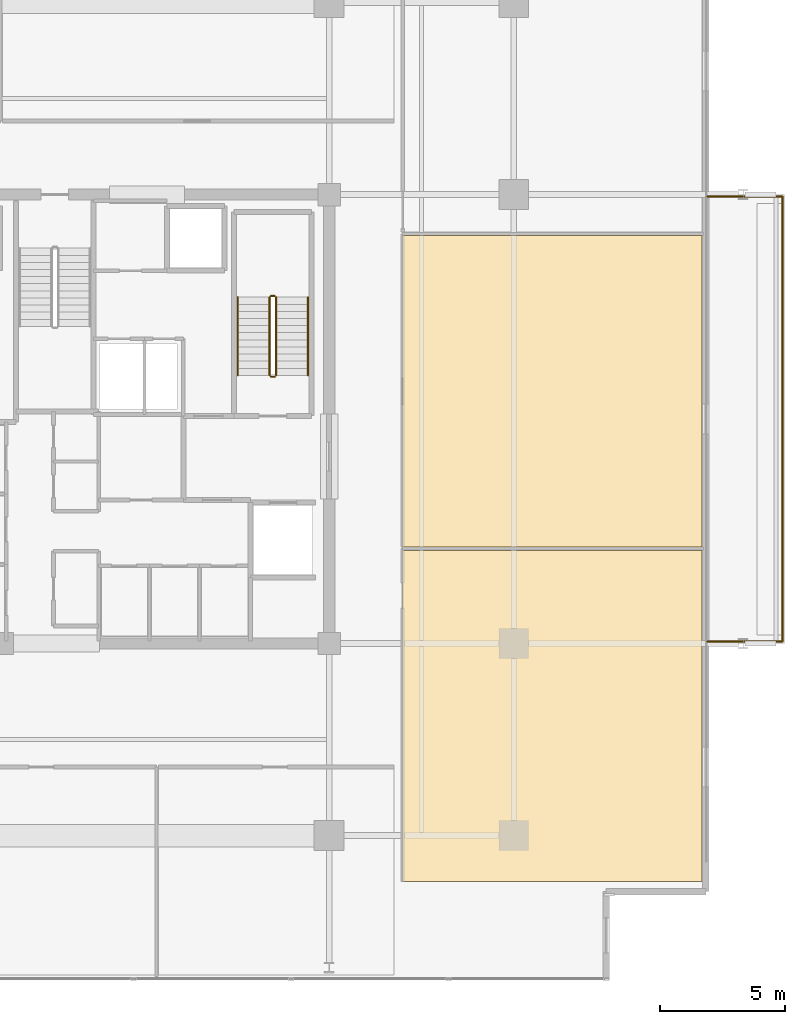
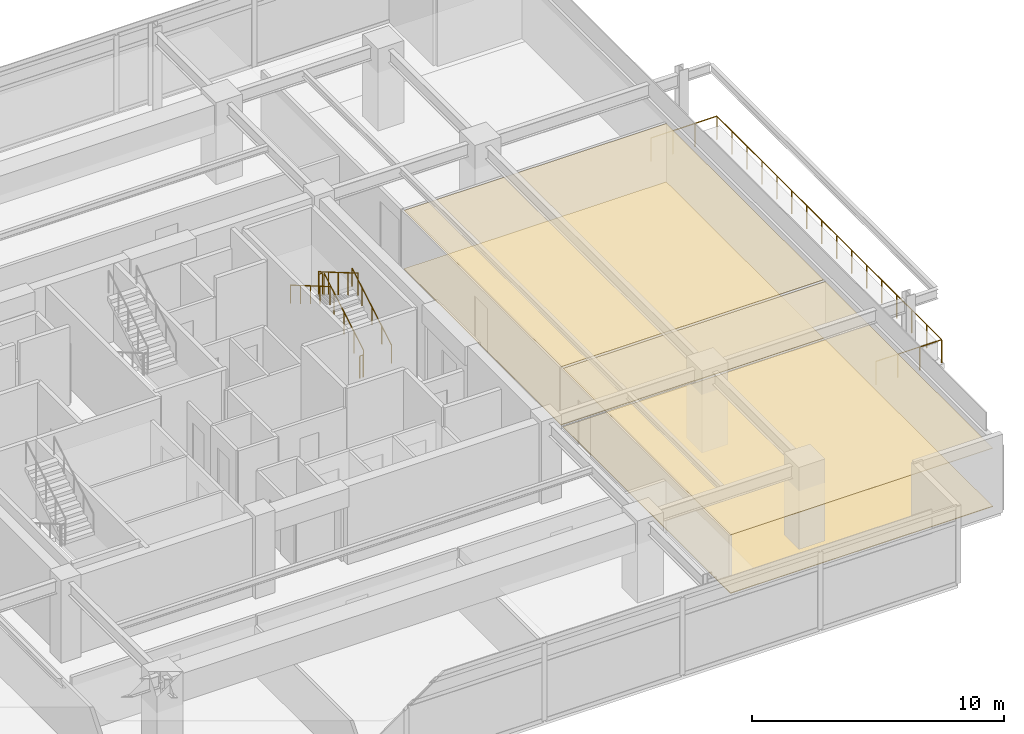
# One storey, part 23 of 24: 7 railings, 4 coverings.
"""IFC4 building model written with IfcOpenShell, lengths in metres."""

from ifc_helpers import new_model, si_unit, direction, frame, origin, origin_2d, place, context, subcontext, project, spatial, polyline, circle, outline, extrude, material, layer, layer_set, type_object, element, save


model = new_model("IFC4")

# Units and contexts
model_context = context("Model", 3, precision=1e-05, world=origin(), true_north=direction((0.0, 1.0)))
body_context = subcontext(model_context, "Body", "Model", "MODEL_VIEW")
ifc_project = project(units=[si_unit("LENGTHUNIT", "METRE"), si_unit("AREAUNIT", "SQUARE_METRE"), si_unit("VOLUMEUNIT", "CUBIC_METRE"), si_unit("PLANEANGLEUNIT", "RADIAN"), si_unit("MASSUNIT", "GRAM", prefix="KILO")], contexts=[model_context])

# Site, building, storey
site_placement = place(None, origin())
site = spatial("IfcSite", under=ifc_project, at=site_placement, CompositionType="ELEMENT")
building_placement = place(site_placement, origin())
building = spatial("IfcBuilding", under=site, at=building_placement, Name="Kovane Verandah Tower", CompositionType="ELEMENT")
storey_placement = place(building_placement, frame((0.0, 0.0, 271.199951171875)))
storey = spatial("IfcBuildingStorey", under=building, at=storey_placement, Name="L63", CompositionType="ELEMENT", Elevation=271.199951171875)

# Coverings
ifc_material_1 = material(Name="Perforated Acoustic Mineral-Fibre Ceiling Tile", Category="gypsum")
ifc_layer_1 = layer(ifc_material_1, 0.02490234375)
ifc_layer_set_1 = layer_set([ifc_layer_1], Name="Perforated Acoustic Mineral-Fibre Ceiling Tile")
covering_type_1 = type_object("IfcCoveringType", Name="CV-CEIL-25", PredefinedType="CEILING", material=ifc_layer_set_1)
covering_1_placement = place(storey_placement, frame((0.0, 0.0, 2.824951171875)))
element("IfcCovering", 1, at=covering_1_placement, inside=storey, type_object=covering_type_1, Name="L63 Open Plan Office E1 Acoustic Ceiling", PredefinedType="CEILING", context=body_context, shape_type="SweptSolid", body=[
    extrude(outline(polyline([(53.949951171875, 8.950439453125), (65.957275390625, 8.950439453125), (65.957275390625, 22.236083984375), (53.949951171875, 22.236083984375), (53.949951171875, 8.950439453125)])), origin(), (0.0, 0.0, 1.0), 0.025146484375),
])
covering_2_placement = place(storey_placement, frame((0.0, 0.0, 2.824951171875)))
element("IfcCovering", 2, at=covering_2_placement, inside=storey, type_object=covering_type_1, Name="L63 Executive Office E2 Acoustic Ceiling", PredefinedType="CEILING", context=body_context, shape_type="SweptSolid", body=[
    extrude(outline(polyline([(53.949951171875, 22.376220703125), (65.957275390625, 22.376220703125), (65.957275390625, 34.849853515625), (53.949951171875, 34.849853515625), (53.949951171875, 22.376220703125)])), origin(), (0.0, 0.0, 1.0), 0.025146484375),
])
ifc_material_2 = material(Name="Polished Terrazzo and Raised-Access Carpet Tile Finish", Category="concrete")
ifc_layer_2 = layer(ifc_material_2, 0.030029296875)
ifc_layer_set_2 = layer_set([ifc_layer_2], Name="Polished Terrazzo and Raised-Access Carpet Tile Finish")
covering_type_2 = type_object("IfcCoveringType", Name="CV-FLOR-30", PredefinedType="FLOORING", material=ifc_layer_set_2)
covering_3_placement = place(storey_placement, origin())
element("IfcCovering", 3, at=covering_3_placement, inside=storey, type_object=covering_type_2, Name="L63 Open Plan Office E1 Floor Finish", PredefinedType="FLOORING", context=body_context, shape_type="SweptSolid", body=[
    extrude(outline(polyline([(53.949951171875, 8.950439453125), (65.957275390625, 8.950439453125), (65.957275390625, 22.236083984375), (53.949951171875, 22.236083984375), (53.949951171875, 8.950439453125)])), origin(), (0.0, 0.0, 1.0), 0.030029296875),
])
covering_4_placement = place(storey_placement, origin())
element("IfcCovering", 4, at=covering_4_placement, inside=storey, type_object=covering_type_2, Name="L63 Executive Office E2 Floor Finish", PredefinedType="FLOORING", context=body_context, shape_type="SweptSolid", body=[
    extrude(outline(polyline([(53.949951171875, 22.376220703125), (65.957275390625, 22.376220703125), (65.957275390625, 34.849853515625), (53.949951171875, 34.849853515625), (53.949951171875, 22.376220703125)])), origin(), (0.0, 0.0, 1.0), 0.030029296875),
])

# Railings
ifc_material_3 = material(Name="Laminated Glass and Pale-Champagne Stainless Balustrade", Category="glass")
railing_type_1 = type_object("IfcRailingType", Name="RL-BAL-1150", PredefinedType="BALUSTRADE", material=ifc_material_3)
railing_1_placement = place(storey_placement, frame((66.1572265625, 18.580078125, 0.0)))
element("IfcRailing", 5, at=railing_1_placement, inside=storey, type_object=railing_type_1, Name="L63 E Verandah Glass Balustrade", PredefinedType="BALUSTRADE", context=body_context, shape_type="SweptSolid", body=[
    extrude(circle(Radius=0.02392578125, at=origin_2d()), frame((0.0, 0.0, 1.1259765625), z_axis=(1.0, 0.0, 0.0), x_axis=(0.0, 1.0, 0.0)), (0.0, 0.0, 1.0), 3.02001953125),
    extrude(circle(Radius=0.02392578125, at=origin_2d()), frame((3.02001953125, 0.0, 1.1259765625), z_axis=(0.0, 1.0, 0.0), x_axis=(-1.0, 0.0, 0.0)), (0.0, 0.0, 1.0), 17.83984375),
    extrude(circle(Radius=0.02392578125, at=origin_2d()), frame((3.02001953125, 17.83984375, 1.1259765625), z_axis=(-1.0, 0.0, 0.0), x_axis=(0.0, -1.0, 0.0)), (0.0, 0.0, 1.0), 3.02001953125),
    extrude(circle(Radius=0.02099609375, at=origin_2d()), origin(), (0.0, 0.0, 1.0), 1.101806640625),
    extrude(circle(Radius=0.02099609375, at=origin_2d()), frame((1.006591796875, 0.0, 0.0)), (0.0, 0.0, 1.0), 1.101806640625),
    extrude(circle(Radius=0.02099609375, at=origin_2d()), frame((2.013427734375, 0.0, 0.0)), (0.0, 0.0, 1.0), 1.101806640625),
    extrude(circle(Radius=0.02099609375, at=origin_2d()), frame((3.02001953125, 0.0, 0.0)), (0.0, 0.0, 1.0), 1.101806640625),
    extrude(circle(Radius=0.02099609375, at=origin_2d()), frame((3.02001953125, 1.189208984375, 0.0)), (0.0, 0.0, 1.0), 1.101806640625),
    extrude(circle(Radius=0.02099609375, at=origin_2d()), frame((3.02001953125, 2.378662109375, 0.0)), (0.0, 0.0, 1.0), 1.101806640625),
    extrude(circle(Radius=0.02099609375, at=origin_2d()), frame((3.02001953125, 3.56787109375, 0.0)), (0.0, 0.0, 1.0), 1.101806640625),
    extrude(circle(Radius=0.02099609375, at=origin_2d()), frame((3.02001953125, 4.75732421875, 0.0)), (0.0, 0.0, 1.0), 1.101806640625),
    extrude(circle(Radius=0.02099609375, at=origin_2d()), frame((3.02001953125, 5.946533203125, 0.0)), (0.0, 0.0, 1.0), 1.101806640625),
    extrude(circle(Radius=0.02099609375, at=origin_2d()), frame((3.02001953125, 7.135986328125, 0.0)), (0.0, 0.0, 1.0), 1.101806640625),
    extrude(circle(Radius=0.02099609375, at=origin_2d()), frame((3.02001953125, 8.3251953125, 0.0)), (0.0, 0.0, 1.0), 1.101806640625),
    extrude(circle(Radius=0.02099609375, at=origin_2d()), frame((3.02001953125, 9.5146484375, 0.0)), (0.0, 0.0, 1.0), 1.101806640625),
    extrude(circle(Radius=0.02099609375, at=origin_2d()), frame((3.02001953125, 10.703857421875, 0.0)), (0.0, 0.0, 1.0), 1.101806640625),
    extrude(circle(Radius=0.02099609375, at=origin_2d()), frame((3.02001953125, 11.893310546875, 0.0)), (0.0, 0.0, 1.0), 1.101806640625),
    extrude(circle(Radius=0.02099609375, at=origin_2d()), frame((3.02001953125, 13.08251953125, 0.0)), (0.0, 0.0, 1.0), 1.101806640625),
    extrude(circle(Radius=0.02099609375, at=origin_2d()), frame((3.02001953125, 14.27197265625, 0.0)), (0.0, 0.0, 1.0), 1.101806640625),
    extrude(circle(Radius=0.02099609375, at=origin_2d()), frame((3.02001953125, 15.461181640625, 0.0)), (0.0, 0.0, 1.0), 1.101806640625),
    extrude(circle(Radius=0.02099609375, at=origin_2d()), frame((3.02001953125, 16.650634765625, 0.0)), (0.0, 0.0, 1.0), 1.101806640625),
    extrude(circle(Radius=0.02099609375, at=origin_2d()), frame((3.02001953125, 17.83984375, 0.0)), (0.0, 0.0, 1.0), 1.101806640625),
    extrude(circle(Radius=0.02099609375, at=origin_2d()), frame((2.013427734375, 17.83984375, 0.0)), (0.0, 0.0, 1.0), 1.101806640625),
    extrude(circle(Radius=0.02099609375, at=origin_2d()), frame((1.006591796875, 17.83984375, 0.0)), (0.0, 0.0, 1.0), 1.101806640625),
    extrude(circle(Radius=0.02099609375, at=origin_2d()), frame((0.0, 17.83984375, 0.0)), (0.0, 0.0, 1.0), 1.101806640625),
])
ifc_material_4 = material(Name="Brushed Stainless Steel Handrail", Category="steel")
railing_type_2 = type_object("IfcRailingType", Name="RL-HAND-920", PredefinedType="HANDRAIL", material=ifc_material_4)
railing_2_placement = place(storey_placement, frame((50.14990234375, 29.25, 0.166748046875)))
element("IfcRailing", 6, at=railing_2_placement, inside=storey, type_object=railing_type_2, Name="L63 ST-02 stair handrail 1", PredefinedType="HANDRAIL", context=body_context, shape_type="SweptSolid", body=[
    extrude(circle(Radius=0.02392578125, at=origin_2d()), frame((0.0, 0.0, 0.8759765625), z_axis=(0.0, 0.863239559939, 0.504794475164), x_axis=(-1.0, 0.0, 0.0)), (0.0, 0.0, 1.0), 3.631591796875),
    extrude(circle(Radius=0.02099609375, at=origin_2d()), origin(), (0.0, 0.0, 1.0), 0.851806640625),
    extrude(circle(Radius=0.02099609375, at=origin_2d()), frame((0.0, 0.78369140625, 0.458251953125)), (0.0, 0.0, 1.0), 0.851806640625),
    extrude(circle(Radius=0.02099609375, at=origin_2d()), frame((0.0, 1.5673828125, 0.91650390625)), (0.0, 0.0, 1.0), 0.851806640625),
    extrude(circle(Radius=0.02099609375, at=origin_2d()), frame((0.0, 2.351318359375, 1.375)), (0.0, 0.0, 1.0), 0.851806640625),
    extrude(circle(Radius=0.02099609375, at=origin_2d()), frame((0.0, 3.135009765625, 1.833251953125)), (0.0, 0.0, 1.0), 0.851806640625),
])
railing_3_placement = place(storey_placement, frame((47.330078125, 32.385009765625, 2.166748046875)))
element("IfcRailing", 7, at=railing_3_placement, inside=storey, type_object=railing_type_2, Name="L63 ST-02 stair handrail 2", PredefinedType="HANDRAIL", context=body_context, shape_type="SweptSolid", body=[
    extrude(circle(Radius=0.02392578125, at=origin_2d()), frame((0.0, 0.0, 0.8759765625), z_axis=(0.0, -0.863239559939, 0.504794475164), x_axis=(1.0, 0.0, 0.0)), (0.0, 0.0, 1.0), 3.631591796875),
    extrude(circle(Radius=0.02099609375, at=origin_2d()), origin(), (0.0, 0.0, 1.0), 0.851806640625),
    extrude(circle(Radius=0.02099609375, at=origin_2d()), frame((0.0, -0.78369140625, 0.458251953125)), (0.0, 0.0, 1.0), 0.851806640625),
    extrude(circle(Radius=0.02099609375, at=origin_2d()), frame((0.0, -1.5673828125, 0.91650390625)), (0.0, 0.0, 1.0), 0.851806640625),
    extrude(circle(Radius=0.02099609375, at=origin_2d()), frame((0.0, -2.351318359375, 1.375)), (0.0, 0.0, 1.0), 0.851806640625),
    extrude(circle(Radius=0.02099609375, at=origin_2d()), frame((0.0, -3.135009765625, 1.833251953125)), (0.0, 0.0, 1.0), 0.851806640625),
])
ifc_material_5 = material(Name="Painted Steel Stairwell Guardrail", Category="steel")
railing_type_3 = type_object("IfcRailingType", Name="RL-STGUARD-1120", PredefinedType="GUARDRAIL", material=ifc_material_5)
railing_4_placement = place(storey_placement, frame((48.8701171875, 29.25, 0.166748046875)))
element("IfcRailing", 8, at=railing_4_placement, inside=storey, type_object=railing_type_3, Name="L63 ST-02 stair guard 1", PredefinedType="GUARDRAIL", context=body_context, shape_type="SweptSolid", body=[
    extrude(circle(Radius=0.02392578125, at=origin_2d()), frame((0.0, 0.0, 1.076171875), z_axis=(0.0, 0.863239559939, 0.504794475164), x_axis=(-1.0, 0.0, 0.0)), (0.0, 0.0, 1.0), 3.631591796875),
    extrude(circle(Radius=0.02099609375, at=origin_2d()), origin(), (0.0, 0.0, 1.0), 1.052001953125),
    extrude(circle(Radius=0.02099609375, at=origin_2d()), frame((0.0, 0.78369140625, 0.458251953125)), (0.0, 0.0, 1.0), 1.052001953125),
    extrude(circle(Radius=0.02099609375, at=origin_2d()), frame((0.0, 1.5673828125, 0.91650390625)), (0.0, 0.0, 1.0), 1.052001953125),
    extrude(circle(Radius=0.02099609375, at=origin_2d()), frame((0.0, 2.351318359375, 1.375)), (0.0, 0.0, 1.0), 1.052001953125),
    extrude(circle(Radius=0.02099609375, at=origin_2d()), frame((0.0, 3.135009765625, 1.833251953125)), (0.0, 0.0, 1.0), 1.052001953125),
])
railing_5_placement = place(storey_placement, frame((48.820068359375, 32.43505859375, 2.0)))
element("IfcRailing", 9, at=railing_5_placement, inside=storey, type_object=railing_type_3, Name="L63 ST-02 stair guard 2", PredefinedType="GUARDRAIL", context=body_context, shape_type="SweptSolid", body=[
    extrude(circle(Radius=0.02392578125, at=origin_2d()), frame((0.0, 0.0, 1.076171875), z_axis=(-1.0, 0.0, 0.0), x_axis=(0.0, -1.0, 0.0)), (0.0, 0.0, 1.0), 0.16015625),
    extrude(circle(Radius=0.02099609375, at=origin_2d()), origin(), (0.0, 0.0, 1.0), 1.052001953125),
    extrude(circle(Radius=0.02099609375, at=origin_2d()), frame((-0.16015625, 0.0, 0.0)), (0.0, 0.0, 1.0), 1.052001953125),
])
railing_6_placement = place(storey_placement, frame((48.610107421875, 32.385009765625, 2.166748046875)))
element("IfcRailing", 10, at=railing_6_placement, inside=storey, type_object=railing_type_3, Name="L63 ST-02 stair guard 3", PredefinedType="GUARDRAIL", context=body_context, shape_type="SweptSolid", body=[
    extrude(circle(Radius=0.02392578125, at=origin_2d()), frame((0.0, 0.0, 1.076171875), z_axis=(0.0, -0.863239559939, 0.504794475164), x_axis=(1.0, 0.0, 0.0)), (0.0, 0.0, 1.0), 3.631591796875),
    extrude(circle(Radius=0.02099609375, at=origin_2d()), origin(), (0.0, 0.0, 1.0), 1.052001953125),
    extrude(circle(Radius=0.02099609375, at=origin_2d()), frame((0.0, -0.78369140625, 0.458251953125)), (0.0, 0.0, 1.0), 1.052001953125),
    extrude(circle(Radius=0.02099609375, at=origin_2d()), frame((0.0, -1.5673828125, 0.91650390625)), (0.0, 0.0, 1.0), 1.052001953125),
    extrude(circle(Radius=0.02099609375, at=origin_2d()), frame((0.0, -2.351318359375, 1.375)), (0.0, 0.0, 1.0), 1.052001953125),
    extrude(circle(Radius=0.02099609375, at=origin_2d()), frame((0.0, -3.135009765625, 1.833251953125)), (0.0, 0.0, 1.0), 1.052001953125),
])
railing_7_placement = place(storey_placement, frame((48.820068359375, 29.199951171875, 0.0)))
element("IfcRailing", 11, at=railing_7_placement, inside=storey, type_object=railing_type_3, Name="L63 ST-02 stair guard 4", PredefinedType="GUARDRAIL", context=body_context, shape_type="SweptSolid", body=[
    extrude(circle(Radius=0.02392578125, at=origin_2d()), frame((0.0, 0.0, 1.076171875), z_axis=(-1.0, 0.0, 0.0), x_axis=(0.0, -1.0, 0.0)), (0.0, 0.0, 1.0), 0.16015625),
    extrude(circle(Radius=0.02099609375, at=origin_2d()), origin(), (0.0, 0.0, 1.0), 1.052001953125),
    extrude(circle(Radius=0.02099609375, at=origin_2d()), frame((-0.16015625, 0.0, 0.0)), (0.0, 0.0, 1.0), 1.052001953125),
])

save(model, "model.ifc")
